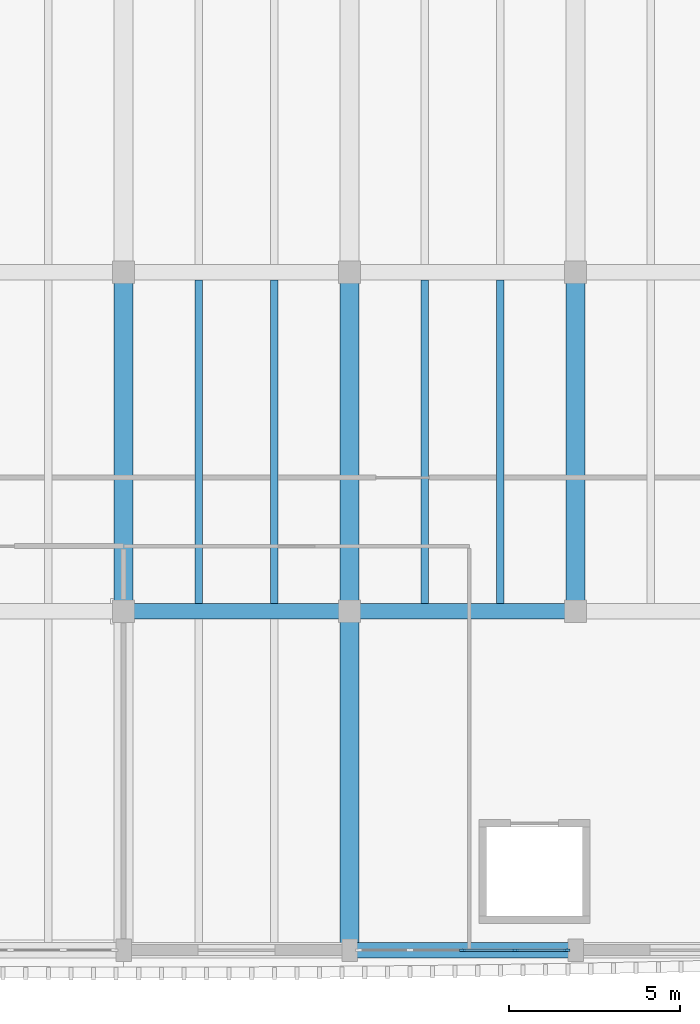
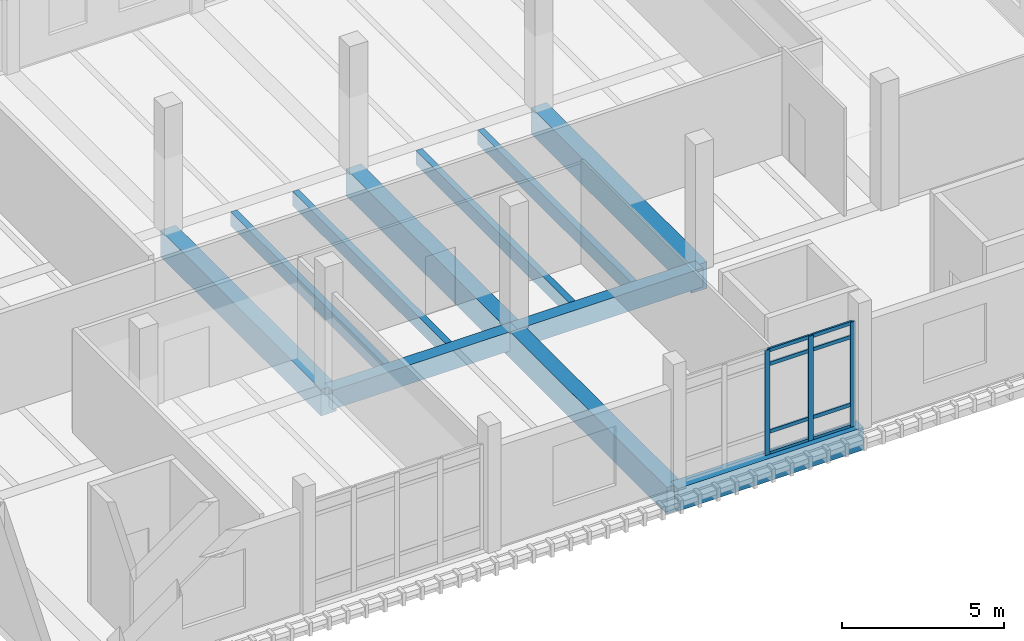
# One storey, part 10 of 37: 11 beams, 11 members, 1 element without a shape of its own.
"""IFC4 building model written with IfcOpenShell, lengths in metres."""

from ifc_helpers import new_model, si_unit, direction, frame, origin, origin_2d, place, context, subcontext, project, spatial, rectangle, extrude, material, material_profile, profile_set, type_object, element, aggregate, save


model = new_model("IFC4")

# Units and contexts
model_context = context("Model", 3, precision=1e-05, world=origin(), true_north=direction((0.0, 1.0)))
body_context = subcontext(model_context, "Body", "Model", "MODEL_VIEW")
ifc_project = project(units=[si_unit("LENGTHUNIT", "METRE"), si_unit("AREAUNIT", "SQUARE_METRE"), si_unit("VOLUMEUNIT", "CUBIC_METRE"), si_unit("PLANEANGLEUNIT", "RADIAN"), si_unit("MASSUNIT", "GRAM", prefix="KILO")], contexts=[model_context])

# Site, building, storey
site_placement = place(None, origin())
site = spatial("IfcSite", under=ifc_project, at=site_placement, CompositionType="ELEMENT")
building_placement = place(site_placement, origin())
building = spatial("IfcBuilding", under=site, at=building_placement, Name="Dornvale Research Institute", CompositionType="ELEMENT")
storey_placement = place(building_placement, frame((0.0, 0.0, 29.39990234375)))
storey = spatial("IfcBuildingStorey", under=building, at=storey_placement, Name="L06", CompositionType="ELEMENT", Elevation=29.39990234375)

# Beams
ifc_material_1 = material(Name="Concrete f'c 45 MPa (C35/45)", Category="concrete")
ifc_material_profile_1 = material_profile(ifc_material_1, rectangle(XDim=0.449951171875, YDim=0.715087890625, at=origin_2d()), Name="RC 450x715")
ifc_profile_set_1 = profile_set([ifc_material_profile_1], Name="Concrete f'c 45 MPa (C35/45)")
beam_type_1 = type_object("IfcBeamType", Name="Beam_RC450x715_Lab", PredefinedType="BEAM", material=ifc_profile_set_1)
beam_1_placement = place(storey_placement, frame((145.199951171875, 102.300048828125, -0.357421875), z_axis=(1.0, 0.0, 0.0), x_axis=(0.0, 1.0, 0.0)))
element("IfcBeam", 1, at=beam_1_placement, inside=storey, type_object=beam_type_1, Name="L06 primary girder #1510", PredefinedType="BEAM", context=body_context, shape_type="SweptSolid", body=[
    extrude(rectangle(XDim=0.449951171875, YDim=0.715087890625, at=origin_2d()), origin(), (0.0, 0.0, 1.0), 6.60009765625),
])
beam_2_placement = place(storey_placement, frame((151.800048828125, 102.300048828125, -0.357421875), z_axis=(1.0, 0.0, 0.0), x_axis=(0.0, 1.0, 0.0)))
element("IfcBeam", 2, at=beam_2_placement, inside=storey, type_object=beam_type_1, Name="L06 primary girder #1511", PredefinedType="BEAM", context=body_context, shape_type="SweptSolid", body=[
    extrude(rectangle(XDim=0.449951171875, YDim=0.715087890625, at=origin_2d()), origin(), (0.0, 0.0, 1.0), 6.599853515625),
])
ifc_material_2 = material(Name="Concrete f'c 45 MPa (C35/45)", Category="concrete")
ifc_material_profile_2 = material_profile(ifc_material_2, rectangle(XDim=0.550048828125, YDim=1.0, at=origin_2d()), Name="RC 550x1000")
ifc_profile_set_2 = profile_set([ifc_material_profile_2], Name="Concrete f'c 45 MPa (C35/45)")
beam_type_2 = type_object("IfcBeamType", Name="Beam_RC550x1000_Girder", PredefinedType="BEAM", material=ifc_profile_set_2)
beam_3_placement = place(storey_placement, frame((145.199951171875, 102.300048828125, -0.5), z_axis=(0.0, 1.0, 0.0), x_axis=(-1.0, 0.0, 0.0)))
element("IfcBeam", 3, at=beam_3_placement, inside=storey, type_object=beam_type_2, Name="L06 transverse girder #1542", PredefinedType="BEAM", context=body_context, shape_type="SweptSolid", body=[
    extrude(rectangle(XDim=0.550048828125, YDim=1.0, at=origin_2d()), origin(), (0.0, 0.0, 1.0), 9.89990234375),
])
beam_4_placement = place(storey_placement, frame((151.800048828125, 92.39990234375, -0.5), z_axis=(0.0, 1.0, 0.0), x_axis=(-1.0, 0.0, 0.0)))
element("IfcBeam", 4, at=beam_4_placement, inside=storey, type_object=beam_type_2, Name="L06 transverse girder #1544", PredefinedType="BEAM", context=body_context, shape_type="SweptSolid", body=[
    extrude(rectangle(XDim=0.550048828125, YDim=1.0, at=origin_2d()), origin(), (0.0, 0.0, 1.0), 9.900146484375),
])
for number, where, z_axis, x_axis, name in (
    (5, (151.800048828125, 102.300048828125, -0.5), (0.0, 1.0, 0.0), (-1.0, 0.0, 0.0), "L06 transverse girder #1545"),
    (6, (158.39990234375, 102.300048828125, -0.5), (0.0, 1.0, 0.0), (-1.0, 0.0, 0.0), "L06 transverse girder #1547"),
):
    element("IfcBeam", number, at=place(storey_placement, frame(where, z_axis=z_axis, x_axis=x_axis)), inside=storey, type_object=beam_type_2, Name=name, PredefinedType="BEAM", context=body_context, shape_type="SweptSolid", body=[
        extrude(rectangle(XDim=0.550048828125, YDim=1.0, at=origin_2d()), origin(), (0.0, 0.0, 1.0), 9.89990234375),
    ])
ifc_material_3 = material(Name="Concrete f'c 45 MPa (C35/45)", Category="concrete")
ifc_material_profile_3 = material_profile(ifc_material_3, rectangle(XDim=0.219970703125, YDim=0.534912109375, at=origin_2d()), Name="RC 220x535")
ifc_profile_set_3 = profile_set([ifc_material_profile_3], Name="Concrete f'c 45 MPa (C35/45)")
beam_type_3 = type_object("IfcBeamType", Name="Joist_RC220x535_Waffle", PredefinedType="JOIST", material=ifc_profile_set_3)
for number, where, z_axis, x_axis, name in (
    (7, (147.39990234375, 102.52490234375, -0.267333984375), (0.0, 1.0, 0.0), (-1.0, 0.0, 0.0), "L06 laboratory waffle joist #747"),
    (8, (149.60009765625, 102.52490234375, -0.267333984375), (0.0, 1.0, 0.0), (-1.0, 0.0, 0.0), "L06 laboratory waffle joist #748"),
    (9, (154.0, 102.52490234375, -0.267333984375), (0.0, 1.0, 0.0), (-1.0, 0.0, 0.0), "L06 laboratory waffle joist #751"),
    (10, (156.199951171875, 102.52490234375, -0.267333984375), (0.0, 1.0, 0.0), (-1.0, 0.0, 0.0), "L06 laboratory waffle joist #752"),
):
    element("IfcBeam", number, at=place(storey_placement, frame(where, z_axis=z_axis, x_axis=x_axis)), inside=storey, type_object=beam_type_3, Name=name, PredefinedType="JOIST", context=body_context, shape_type="SweptSolid", body=[
        extrude(rectangle(XDim=0.219970703125, YDim=0.534912109375, at=origin_2d()), origin(), (0.0, 0.0, 1.0), 9.4501953125),
    ])

# Curtain wall, members
ifc_material_4 = material(Name="Low-E Argon Double Insulating Glazing Unit", Category="glass")
curtain_wall_type = type_object("IfcCurtainWallType", Name="UnitisedCurtainWall_V4_6150x3950", PredefinedType="USERDEFINED", material=ifc_material_4)
curtain_wall_placement = place(storey_placement, origin())
curtain_wall = element("IfcCurtainWall", 11, at=curtain_wall_placement, inside=storey, type_object=curtain_wall_type, Name="L06 V4 unitised curtain wall CW-15 #122", ObjectType="UNITISED CURTAIN WALL", PredefinedType="USERDEFINED")
ifc_material_5 = material(Name="Anodized Aluminum AA 6063-T6 Thermally Broken Frame", Category="aluminium")
ifc_material_profile_4 = material_profile(ifc_material_5, rectangle(XDim=0.06494140625, YDim=0.179931640625, at=origin_2d()), Name="ALU MULLION 65x180")
ifc_profile_set_4 = profile_set([ifc_material_profile_4], Name="Anodized Aluminum AA 6063-T6 Thermally Broken Frame")
member_type_1 = type_object("IfcMemberType", Name="Mullion_CW_65x180", PredefinedType="MULLION", material=ifc_profile_set_4)
member_1_placement = place(storey_placement, frame((158.142578125, 92.39990234375, 0.0), z_axis=(0.0, 0.0, 1.0), x_axis=(0.0, -1.0, 0.0)))
member_1 = element("IfcMember", 12, at=member_1_placement, type_object=member_type_1, Name="CW-15 mullion 1", PredefinedType="MULLION", context=body_context, shape_type="SweptSolid", body=[
    extrude(rectangle(XDim=0.06494140625, YDim=0.179931640625, at=origin_2d()), origin(), (0.0, 0.0, 1.0), 3.9501953125),
])
member_2_placement = place(storey_placement, frame((156.637451171875, 92.39990234375, 0.0), z_axis=(0.0, 0.0, 1.0), x_axis=(0.0, -1.0, 0.0)))
member_2 = element("IfcMember", 13, at=member_2_placement, type_object=member_type_1, Name="CW-15 mullion 2", PredefinedType="MULLION", context=body_context, shape_type="SweptSolid", body=[
    extrude(rectangle(XDim=0.06494140625, YDim=0.179931640625, at=origin_2d()), origin(), (0.0, 0.0, 1.0), 3.9501953125),
])
member_3_placement = place(storey_placement, frame((155.10009765625, 92.39990234375, 0.0), z_axis=(0.0, 0.0, 1.0), x_axis=(0.0, -1.0, 0.0)))
member_3 = element("IfcMember", 14, at=member_3_placement, type_object=member_type_1, Name="CW-15 mullion 3", PredefinedType="MULLION", context=body_context, shape_type="SweptSolid", body=[
    extrude(rectangle(XDim=0.06494140625, YDim=0.179931640625, at=origin_2d()), origin(), (0.0, 0.0, 1.0), 3.9501953125),
])

# Beam
ifc_material_6 = material(Name="Concrete f'c 45 MPa (C35/45)", Category="concrete")
ifc_material_profile_5 = material_profile(ifc_material_6, rectangle(XDim=0.449951171875, YDim=0.85009765625, at=origin_2d()), Name="RC 450x850")
ifc_profile_set_5 = profile_set([ifc_material_profile_5], Name="Concrete f'c 45 MPa (C35/45)")
beam_type_4 = type_object("IfcBeamType", Name="Spandrel_RC450x850_Ext", PredefinedType="SPANDREL", material=ifc_profile_set_5)
beam_5_placement = place(storey_placement, frame((151.800048828125, 92.39990234375, -0.4248046875), z_axis=(1.0, 0.0, 0.0), x_axis=(0.0, 1.0, 0.0)))
element("IfcBeam", 15, at=beam_5_placement, inside=storey, type_object=beam_type_4, Name="L06 perimeter spandrel #1503", PredefinedType="SPANDREL", context=body_context, shape_type="SweptSolid", body=[
    extrude(rectangle(XDim=0.449951171875, YDim=0.85009765625, at=origin_2d()), origin(), (0.0, 0.0, 1.0), 6.599853515625),
])

# Member
ifc_material_7 = material(Name="Anodized Aluminum AA 6063-T6 Thermally Broken Frame", Category="aluminium")
ifc_material_profile_6 = material_profile(ifc_material_7, rectangle(XDim=0.06494140625, YDim=0.135009765625, at=origin_2d()), Name="ALU TRANSOM 65x135")
ifc_profile_set_6 = profile_set([ifc_material_profile_6], Name="Anodized Aluminum AA 6063-T6 Thermally Broken Frame")
member_type_2 = type_object("IfcMemberType", Name="Transom_CW_65x135", PredefinedType="USERDEFINED", material=ifc_profile_set_6)
member_4_placement = place(storey_placement, frame((158.110107421875, 92.39990234375, 0.03271484375), z_axis=(-1.0, 0.0, 0.0), x_axis=(0.0, -1.0, 0.0)))
member_4 = element("IfcMember", 16, at=member_4_placement, type_object=member_type_2, Name="CW-15 transom 1.1", ObjectType="TRANSOM", PredefinedType="USERDEFINED", context=body_context, shape_type="SweptSolid", body=[
    extrude(rectangle(XDim=0.06494140625, YDim=0.135009765625, at=origin_2d()), origin(), (0.0, 0.0, 1.0), 1.440185546875),
])

member_5_placement = place(storey_placement, frame((158.110107421875, 92.39990234375, 0.85009765625), z_axis=(-1.0, 0.0, 0.0), x_axis=(0.0, -1.0, 0.0)))
member_5 = element("IfcMember", 17, at=member_5_placement, type_object=member_type_2, Name="CW-15 transom 1.2", ObjectType="TRANSOM", PredefinedType="USERDEFINED", context=body_context, shape_type="SweptSolid", body=[
    extrude(rectangle(XDim=0.06494140625, YDim=0.135009765625, at=origin_2d()), origin(), (0.0, 0.0, 1.0), 1.440185546875),
])

member_6_placement = place(storey_placement, frame((158.110107421875, 92.39990234375, 3.400146484375), z_axis=(-1.0, 0.0, 0.0), x_axis=(0.0, -1.0, 0.0)))
member_6 = element("IfcMember", 18, at=member_6_placement, type_object=member_type_2, Name="CW-15 transom 1.3", ObjectType="TRANSOM", PredefinedType="USERDEFINED", context=body_context, shape_type="SweptSolid", body=[
    extrude(rectangle(XDim=0.06494140625, YDim=0.135009765625, at=origin_2d()), origin(), (0.0, 0.0, 1.0), 1.440185546875),
])

member_7_placement = place(storey_placement, frame((158.110107421875, 92.39990234375, 3.91748046875), z_axis=(-1.0, 0.0, 0.0), x_axis=(0.0, -1.0, 0.0)))
member_7 = element("IfcMember", 19, at=member_7_placement, type_object=member_type_2, Name="CW-15 transom 1.4", ObjectType="TRANSOM", PredefinedType="USERDEFINED", context=body_context, shape_type="SweptSolid", body=[
    extrude(rectangle(XDim=0.06494140625, YDim=0.135009765625, at=origin_2d()), origin(), (0.0, 0.0, 1.0), 1.440185546875),
])

member_8_placement = place(storey_placement, frame((156.60498046875, 92.39990234375, 0.03271484375), z_axis=(-1.0, 0.0, 0.0), x_axis=(0.0, -1.0, 0.0)))
member_8 = element("IfcMember", 20, at=member_8_placement, type_object=member_type_2, Name="CW-15 transom 2.1", ObjectType="TRANSOM", PredefinedType="USERDEFINED", context=body_context, shape_type="SweptSolid", body=[
    extrude(rectangle(XDim=0.06494140625, YDim=0.135009765625, at=origin_2d()), origin(), (0.0, 0.0, 1.0), 1.472412109375),
])

member_9_placement = place(storey_placement, frame((156.60498046875, 92.39990234375, 0.85009765625), z_axis=(-1.0, 0.0, 0.0), x_axis=(0.0, -1.0, 0.0)))
member_9 = element("IfcMember", 21, at=member_9_placement, type_object=member_type_2, Name="CW-15 transom 2.2", ObjectType="TRANSOM", PredefinedType="USERDEFINED", context=body_context, shape_type="SweptSolid", body=[
    extrude(rectangle(XDim=0.06494140625, YDim=0.135009765625, at=origin_2d()), origin(), (0.0, 0.0, 1.0), 1.472412109375),
])

member_10_placement = place(storey_placement, frame((156.60498046875, 92.39990234375, 3.400146484375), z_axis=(-1.0, 0.0, 0.0), x_axis=(0.0, -1.0, 0.0)))
member_10 = element("IfcMember", 22, at=member_10_placement, type_object=member_type_2, Name="CW-15 transom 2.3", ObjectType="TRANSOM", PredefinedType="USERDEFINED", context=body_context, shape_type="SweptSolid", body=[
    extrude(rectangle(XDim=0.06494140625, YDim=0.135009765625, at=origin_2d()), origin(), (0.0, 0.0, 1.0), 1.472412109375),
])

member_11_placement = place(storey_placement, frame((156.60498046875, 92.39990234375, 3.91748046875), z_axis=(-1.0, 0.0, 0.0), x_axis=(0.0, -1.0, 0.0)))
member_11 = element("IfcMember", 23, at=member_11_placement, type_object=member_type_2, Name="CW-15 transom 2.4", ObjectType="TRANSOM", PredefinedType="USERDEFINED", context=body_context, shape_type="SweptSolid", body=[
    extrude(rectangle(XDim=0.06494140625, YDim=0.135009765625, at=origin_2d()), origin(), (0.0, 0.0, 1.0), 1.472412109375),
])

aggregate(curtain_wall, [member_1, member_2, member_3, member_4, member_5, member_6, member_7, member_8, member_9, member_10, member_11])

save(model, "model.ifc")
